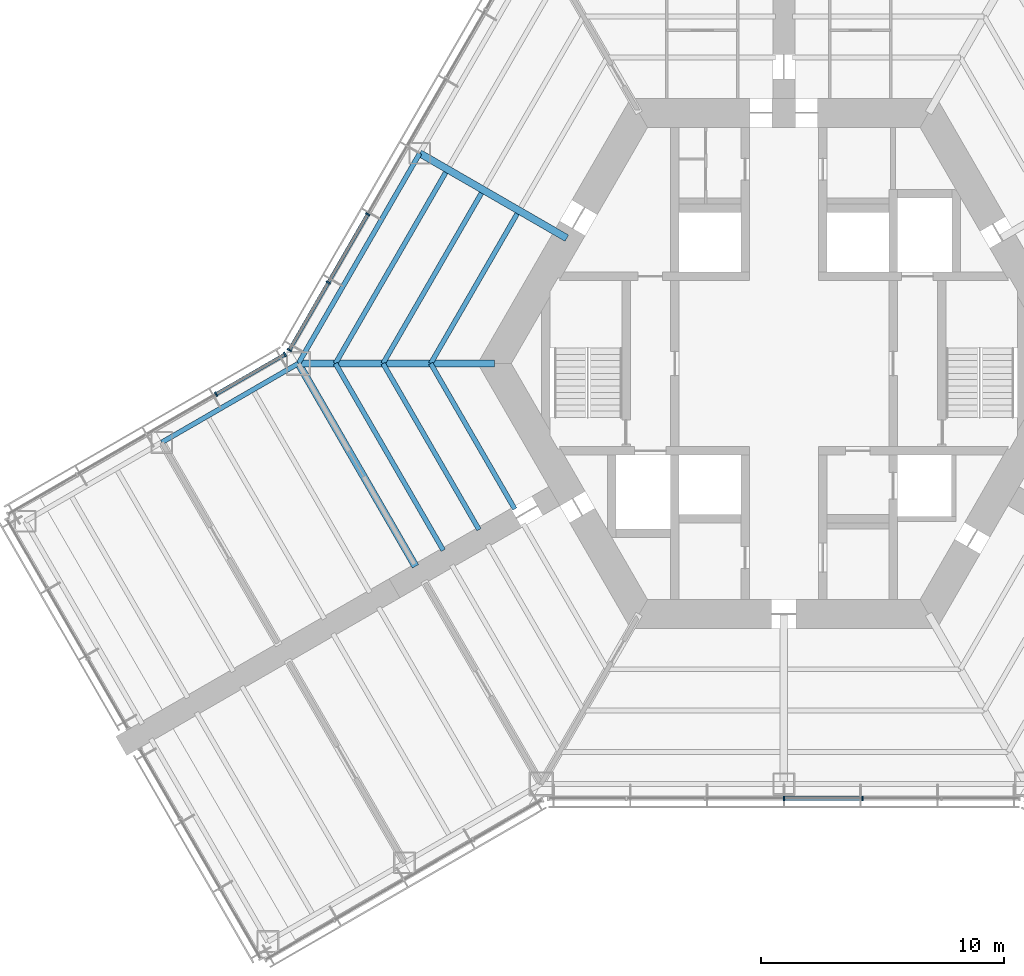
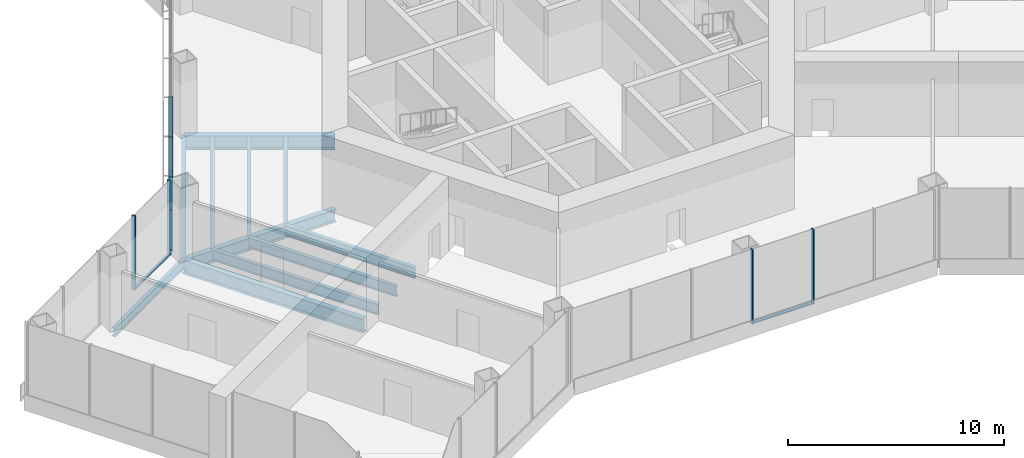
# One storey, part 3 of 15: 11 beams, 11 members, 3 elements without a shape of their own.
"""IFC4 building model written with IfcOpenShell, lengths in metres."""

from ifc_helpers import new_model, si_unit, direction, frame, origin, origin_2d, place, context, subcontext, project, spatial, rectangle, i_section, extrude, material, material_profile, profile_set, type_object, element, aggregate, save


model = new_model("IFC4")

# Units and contexts
model_context = context("Model", 3, precision=1e-05, world=origin(), true_north=direction((0.0, 1.0)))
body_context = subcontext(model_context, "Body", "Model", "MODEL_VIEW")
ifc_project = project(units=[si_unit("LENGTHUNIT", "METRE"), si_unit("AREAUNIT", "SQUARE_METRE"), si_unit("VOLUMEUNIT", "CUBIC_METRE"), si_unit("PLANEANGLEUNIT", "RADIAN"), si_unit("MASSUNIT", "GRAM", prefix="KILO")], contexts=[model_context])

# Site, building, storey
site_placement = place(None, origin())
site = spatial("IfcSite", under=ifc_project, at=site_placement, CompositionType="ELEMENT")
building_placement = place(site_placement, origin())
building = spatial("IfcBuilding", under=site, at=building_placement, Name="Kasaneha Research Tower", CompositionType="ELEMENT")
storey_placement = place(building_placement, frame((0.0, 0.0, 39.39990234375)))
storey = spatial("IfcBuildingStorey", under=building, at=storey_placement, Name="L10", CompositionType="ELEMENT", Elevation=39.39990234375)

# Beams
ifc_material_1 = material(Name="Steel SN490B", Category="steel")
ifc_material_profile_1 = material_profile(ifc_material_1, i_section(OverallWidth=0.199951171875, OverallDepth=0.60009765625, WebThickness=0.010986328125, FlangeThickness=0.01708984375, FilletRadius=0.012939453125, at=origin_2d()), Name="H-600x200x11x17")
ifc_profile_set_1 = profile_set([ifc_material_profile_1], Name="Steel SN490B")
beam_type_1 = type_object("IfcBeamType", Name="B1-2 secondary beam H-600x200x11x17", PredefinedType="JOIST", material=ifc_profile_set_1)
beam_1_placement = place(storey_placement, frame((-14.54931640625, 0.0, -0.469970703125), z_axis=(0.500016104636, 0.866016105569, 0.0), x_axis=(-0.866016105569, 0.500016104636, 0.0)))
element("IfcBeam", 1, at=beam_1_placement, inside=storey, type_object=beam_type_1, Name="Secondary beam RS150R1 L10", PredefinedType="JOIST", context=body_context, shape_type="SweptSolid", body=[
    extrude(i_section(OverallWidth=0.199951171875, OverallDepth=0.60009765625, WebThickness=0.010986328125, FlangeThickness=0.01708984375, FilletRadius=0.012939453125, at=origin_2d()), origin(), (0.0, 0.0, 1.0), 7.124755859375),
])
beam_2_placement = place(storey_placement, frame((-16.51220703125, 0.0, -0.469970703125), z_axis=(0.49999707157, 0.866027094508, 0.0), x_axis=(-0.866027094508, 0.49999707157, 0.0)))
element("IfcBeam", 2, at=beam_2_placement, inside=storey, type_object=beam_type_1, Name="Secondary beam RS150R2 L10", PredefinedType="JOIST", context=body_context, shape_type="SweptSolid", body=[
    extrude(i_section(OverallWidth=0.199951171875, OverallDepth=0.60009765625, WebThickness=0.010986328125, FlangeThickness=0.01708984375, FilletRadius=0.012939453125, at=origin_2d()), origin(), (0.0, 0.0, 1.0), 8.10595703125),
])
beam_3_placement = place(storey_placement, frame((-18.47509765625, 0.0, -0.469970703125), z_axis=(0.499990665392, 0.866030793056, 0.0), x_axis=(-0.866030793056, 0.499990665392, 0.0)))
element("IfcBeam", 3, at=beam_3_placement, inside=storey, type_object=beam_type_1, Name="Secondary beam RS150R3 L10", PredefinedType="JOIST", context=body_context, shape_type="SweptSolid", body=[
    extrude(i_section(OverallWidth=0.199951171875, OverallDepth=0.60009765625, WebThickness=0.010986328125, FlangeThickness=0.01708984375, FilletRadius=0.012939453125, at=origin_2d()), origin(), (0.0, 0.0, 1.0), 9.087646484375),
])
beam_4_placement = place(storey_placement, frame((-14.54931640625, 0.0, -0.469970703125), z_axis=(0.500014420154, -0.866017078145, 0.0), x_axis=(0.866017078145, 0.500014420154, 0.0)))
element("IfcBeam", 4, at=beam_4_placement, inside=storey, type_object=beam_type_1, Name="Secondary beam RS210L1 L10", PredefinedType="JOIST", context=body_context, shape_type="SweptSolid", body=[
    extrude(i_section(OverallWidth=0.199951171875, OverallDepth=0.60009765625, WebThickness=0.010986328125, FlangeThickness=0.01708984375, FilletRadius=0.012939453125, at=origin_2d()), origin(), (0.0, 0.0, 1.0), 6.924560546875),
])
beam_5_placement = place(storey_placement, frame((-16.51220703125, 0.0, -0.469970703125), z_axis=(0.500004902938, -0.866022573054, 0.0), x_axis=(0.866022573054, 0.500004902938, 0.0)))
element("IfcBeam", 5, at=beam_5_placement, inside=storey, type_object=beam_type_1, Name="Secondary beam RS210L2 L10", PredefinedType="JOIST", context=body_context, shape_type="SweptSolid", body=[
    extrude(i_section(OverallWidth=0.199951171875, OverallDepth=0.60009765625, WebThickness=0.010986328125, FlangeThickness=0.01708984375, FilletRadius=0.012939453125, at=origin_2d()), origin(), (0.0, 0.0, 1.0), 7.90625),
])
beam_6_placement = place(storey_placement, frame((-18.47509765625, 0.0, -0.469970703125), z_axis=(0.499988779951, -0.866031881586, 0.0), x_axis=(0.866031881586, 0.499988779951, 0.0)))
element("IfcBeam", 6, at=beam_6_placement, inside=storey, type_object=beam_type_1, Name="Secondary beam RS210L3 L10", PredefinedType="JOIST", context=body_context, shape_type="SweptSolid", body=[
    extrude(i_section(OverallWidth=0.199951171875, OverallDepth=0.60009765625, WebThickness=0.010986328125, FlangeThickness=0.01708984375, FilletRadius=0.012939453125, at=origin_2d()), origin(), (0.0, 0.0, 1.0), 8.887451171875),
])

# Curtain wall, members
ifc_material_2 = material(Name="Glass and aluminium", Category="aluminium")
curtain_wall_type = type_object("IfcCurtainWallType", Name="Dry laboratory curtain wall", PredefinedType="USERDEFINED", material=ifc_material_2)
curtain_wall_1_placement = place(storey_placement, origin())
curtain_wall_1 = element("IfcCurtainWall", 7, at=curtain_wall_1_placement, inside=storey, type_object=curtain_wall_type, Name="CW-L2 L10 run 02a", ObjectType="UNITISED CURTAIN WALL", PredefinedType="USERDEFINED")
ifc_material_3 = material(Name="Aluminium 6063-T6", Category="aluminium")
ifc_material_profile_2 = material_profile(ifc_material_3, rectangle(XDim=0.06494140625, YDim=0.199951171875, at=origin_2d()), Name="CW-L2 mullion 65x200")
ifc_profile_set_2 = profile_set([ifc_material_profile_2], Name="Aluminium 6063-T6")
member_type_1 = type_object("IfcMemberType", Name="CW-L2 mullion", PredefinedType="MULLION", material=ifc_profile_set_2)
member_1_placement = place(storey_placement, frame((0.0, -17.92041015625, 0.0), z_axis=(0.0, 0.0, 1.0), x_axis=(1.0, 0.0, 0.0)))
member_1 = element("IfcMember", 8, at=member_1_placement, type_object=member_type_1, Name="CW-L2 mullion 4", PredefinedType="MULLION", context=body_context, shape_type="SweptSolid", body=[
    extrude(rectangle(XDim=0.06494140625, YDim=0.199951171875, at=origin_2d()), origin(), (0.0, 0.0, 1.0), 4.2001953125),
])
member_2_placement = place(storey_placement, frame((3.246337890625, -17.92041015625, 0.0), z_axis=(0.0, 0.0, 1.0), x_axis=(1.0, 0.0, 0.0)))
member_2 = element("IfcMember", 9, at=member_2_placement, type_object=member_type_1, Name="CW-L2 mullion 5", PredefinedType="MULLION", context=body_context, shape_type="SweptSolid", body=[
    extrude(rectangle(XDim=0.06494140625, YDim=0.199951171875, at=origin_2d()), origin(), (0.0, 0.0, 1.0), 4.2001953125),
])

curtain_wall_2_placement = place(storey_placement, origin())
curtain_wall_2 = element("IfcCurtainWall", 10, at=curtain_wall_2_placement, inside=storey, type_object=curtain_wall_type, Name="CW-L2 L10 run 12a", ObjectType="UNITISED CURTAIN WALL", PredefinedType="USERDEFINED")
member_3_placement = place(storey_placement, frame((-17.142822265625, 6.148681640625, 0.0), z_axis=(0.0, 0.0, 1.0), x_axis=(-0.49999996188, -0.866025425793, 0.0)))
member_3 = element("IfcMember", 11, at=member_3_placement, type_object=member_type_1, Name="CW-L2 mullion 5", PredefinedType="MULLION", context=body_context, shape_type="SweptSolid", body=[
    extrude(rectangle(XDim=0.06494140625, YDim=0.199951171875, at=origin_2d()), origin(), (0.0, 0.0, 1.0), 4.2001953125),
])
member_4_placement = place(storey_placement, frame((-18.76611328125, 3.33740234375, 0.0), z_axis=(0.0, 0.0, 1.0), x_axis=(-0.49999996188, -0.866025425793, 0.0)))
member_4 = element("IfcMember", 12, at=member_4_placement, type_object=member_type_1, Name="CW-L2 mullion 6", PredefinedType="MULLION", context=body_context, shape_type="SweptSolid", body=[
    extrude(rectangle(XDim=0.06494140625, YDim=0.199951171875, at=origin_2d()), origin(), (0.0, 0.0, 1.0), 4.2001953125),
])
member_5_placement = place(storey_placement, frame((-20.373046875, 0.553955078125, 0.0), z_axis=(0.0, 0.0, 1.0), x_axis=(-0.49999996188, -0.866025425793, 0.0)))
member_5 = element("IfcMember", 13, at=member_5_placement, type_object=member_type_1, Name="CW-L2 mullion 7", PredefinedType="MULLION", context=body_context, shape_type="SweptSolid", body=[
    extrude(rectangle(XDim=0.06494140625, YDim=0.199951171875, at=origin_2d()), origin(), (0.0, 0.0, 1.0), 4.2001953125),
])

curtain_wall_3_placement = place(storey_placement, origin())
curtain_wall_3 = element("IfcCurtainWall", 14, at=curtain_wall_3_placement, inside=storey, type_object=curtain_wall_type, Name="CW-L2 L10 run 13a", ObjectType="UNITISED CURTAIN WALL", PredefinedType="USERDEFINED")
member_6_placement = place(storey_placement, frame((-20.553955078125, 0.373046875, 0.0), z_axis=(0.0, 0.0, 1.0), x_axis=(-0.866025411464, -0.499999986699, 0.0)))
member_6 = element("IfcMember", 15, at=member_6_placement, type_object=member_type_1, Name="CW-L2 mullion 1", PredefinedType="MULLION", context=body_context, shape_type="SweptSolid", body=[
    extrude(rectangle(XDim=0.06494140625, YDim=0.199951171875, at=origin_2d()), origin(), (0.0, 0.0, 1.0), 4.2001953125),
])
member_7_placement = place(storey_placement, frame((-23.39208984375, -1.265625, 0.0), z_axis=(0.0, 0.0, 1.0), x_axis=(-0.866025411464, -0.499999986699, 0.0)))
member_7 = element("IfcMember", 16, at=member_7_placement, type_object=member_type_1, Name="CW-L2 mullion 2", PredefinedType="MULLION", context=body_context, shape_type="SweptSolid", body=[
    extrude(rectangle(XDim=0.06494140625, YDim=0.199951171875, at=origin_2d()), origin(), (0.0, 0.0, 1.0), 4.2001953125),
])

# Member
ifc_material_4 = material(Name="Aluminium 6063-T6", Category="aluminium")
ifc_material_profile_3 = material_profile(ifc_material_4, rectangle(XDim=0.14990234375, YDim=0.06494140625, at=origin_2d()), Name="CW-L2 transom 150x65")
ifc_profile_set_3 = profile_set([ifc_material_profile_3], Name="Aluminium 6063-T6")
member_type_2 = type_object("IfcMemberType", Name="CW-L2 transom", PredefinedType="USERDEFINED", material=ifc_profile_set_3)
member_8_placement = place(storey_placement, frame((0.032470703125, -17.92041015625, 0.03271484375), z_axis=(1.0, 0.0, 0.0), x_axis=(0.0, 1.0, 0.0)))
member_8 = element("IfcMember", 17, at=member_8_placement, type_object=member_type_2, Name="CW-L2 transom 4", ObjectType="TRANSOM", PredefinedType="USERDEFINED", context=body_context, shape_type="SweptSolid", body=[
    extrude(rectangle(XDim=0.14990234375, YDim=0.06494140625, at=origin_2d()), origin(), (0.0, 0.0, 1.0), 3.181396484375),
])

aggregate(curtain_wall_1, [member_1, member_2, member_8])

member_9_placement = place(storey_placement, frame((-17.1591796875, 6.12060546875, 0.03271484375), z_axis=(-0.499977104415, -0.866038622153, 0.0), x_axis=(0.866038622153, -0.499977104415, 0.0)))
member_9 = element("IfcMember", 18, at=member_9_placement, type_object=member_type_2, Name="CW-L2 transom 5", ObjectType="TRANSOM", PredefinedType="USERDEFINED", context=body_context, shape_type="SweptSolid", body=[
    extrude(rectangle(XDim=0.14990234375, YDim=0.06494140625, at=origin_2d()), origin(), (0.0, 0.0, 1.0), 3.181396484375),
])

member_10_placement = place(storey_placement, frame((-18.7822265625, 3.30908203125, 0.03271484375), z_axis=(-0.49999985423, -0.866025487945, 0.0), x_axis=(0.866025487945, -0.49999985423, 0.0)))
member_10 = element("IfcMember", 19, at=member_10_placement, type_object=member_type_2, Name="CW-L2 transom 6", ObjectType="TRANSOM", PredefinedType="USERDEFINED", context=body_context, shape_type="SweptSolid", body=[
    extrude(rectangle(XDim=0.14990234375, YDim=0.06494140625, at=origin_2d()), origin(), (0.0, 0.0, 1.0), 3.14892578125),
])

aggregate(curtain_wall_2, [member_3, member_4, member_5, member_9, member_10])

member_11_placement = place(storey_placement, frame((-20.58203125, 0.356689453125, 0.03271484375), z_axis=(-0.866022320763, -0.500005339912, 0.0), x_axis=(0.500005339912, -0.866022320763, 0.0)))
member_11 = element("IfcMember", 20, at=member_11_placement, type_object=member_type_2, Name="CW-L2 transom 1", ObjectType="TRANSOM", PredefinedType="USERDEFINED", context=body_context, shape_type="SweptSolid", body=[
    extrude(rectangle(XDim=0.14990234375, YDim=0.06494140625, at=origin_2d()), origin(), (0.0, 0.0, 1.0), 3.21240234375),
])

aggregate(curtain_wall_3, [member_6, member_7, member_11])

# Beams
ifc_material_5 = material(Name="Steel SN490B", Category="steel")
ifc_material_profile_4 = material_profile(ifc_material_5, i_section(OverallWidth=0.300048828125, OverallDepth=0.699951171875, WebThickness=0.012939453125, FlangeThickness=0.02392578125, FilletRadius=0.01806640625, at=origin_2d()), Name="H-700x300x13x24")
ifc_profile_set_4 = profile_set([ifc_material_profile_4], Name="Steel SN490B")
beam_type_2 = type_object("IfcBeamType", Name="G1-2 radial girder H-700x300x13x24", PredefinedType="BEAM", material=ifc_profile_set_4)
beam_7_placement = place(storey_placement, frame((-11.92236328125, 0.0, -0.52001953125), z_axis=(-1.0, 0.0, 0.0), x_axis=(0.0, -1.0, 0.0)))
element("IfcBeam", 21, at=beam_7_placement, inside=storey, type_object=beam_type_2, Name="Radial girder RV180 L10", PredefinedType="BEAM", context=body_context, shape_type="SweptSolid", body=[
    extrude(i_section(OverallWidth=0.300048828125, OverallDepth=0.699951171875, WebThickness=0.012939453125, FlangeThickness=0.02392578125, FilletRadius=0.01806640625, at=origin_2d()), origin(), (0.0, 0.0, 1.0), 8.07763671875),
])
ifc_material_6 = material(Name="Steel SN490B", Category="steel")
ifc_material_profile_5 = material_profile(ifc_material_6, i_section(OverallWidth=0.300048828125, OverallDepth=0.800048828125, WebThickness=0.013916015625, FlangeThickness=0.02587890625, FilletRadius=0.01806640625, at=origin_2d()), Name="H-800x300x14x26")
ifc_profile_set_5 = profile_set([ifc_material_profile_5], Name="Steel SN490B")
beam_type_3 = type_object("IfcBeamType", Name="G2-2 radial girder H-800x300x14x26", PredefinedType="BEAM", material=ifc_profile_set_5)
beam_8_placement = place(storey_placement, frame((-8.941650390625, 5.16259765625, -0.56982421875), z_axis=(-0.866039713508, 0.499975214012, 0.0), x_axis=(-0.499975214012, -0.866039713508, 0.0)))
element("IfcBeam", 22, at=beam_8_placement, inside=storey, type_object=beam_type_3, Name="Radial girder RM150 L10", PredefinedType="BEAM", context=body_context, shape_type="SweptSolid", body=[
    extrude(i_section(OverallWidth=0.300048828125, OverallDepth=0.800048828125, WebThickness=0.013916015625, FlangeThickness=0.02587890625, FilletRadius=0.01806640625, at=origin_2d()), origin(), (0.0, 0.0, 1.0), 6.995361328125),
])
ifc_material_7 = material(Name="Steel SN490B", Category="steel")
ifc_material_profile_6 = material_profile(ifc_material_7, i_section(OverallWidth=0.300048828125, OverallDepth=0.7919921875, WebThickness=0.013916015625, FlangeThickness=0.02197265625, FilletRadius=0.01806640625, at=origin_2d()), Name="H-792x300x14x22")
ifc_profile_set_6 = profile_set([ifc_material_profile_6], Name="Steel SN490B")
beam_type_4 = type_object("IfcBeamType", Name="G3-2 plate edge girder H-792x300x14x22", PredefinedType="BEAM", material=ifc_profile_set_6)
beam_9_placement = place(storey_placement, frame((-20.0, 0.0, -0.56591796875), z_axis=(0.499994742786, -0.866028439017, 0.0), x_axis=(0.866028439017, 0.499994742786, 0.0)))
element("IfcBeam", 23, at=beam_9_placement, inside=storey, type_object=beam_type_4, Name="Plate edge girder PEBP L10", PredefinedType="BEAM", context=body_context, shape_type="SweptSolid", body=[
    extrude(i_section(OverallWidth=0.300048828125, OverallDepth=0.7919921875, WebThickness=0.013916015625, FlangeThickness=0.02197265625, FilletRadius=0.01806640625, at=origin_2d()), origin(), (0.0, 0.0, 1.0), 9.64990234375),
])
ifc_material_8 = material(Name="Steel SN490B", Category="steel")
ifc_material_profile_7 = material_profile(ifc_material_8, i_section(OverallWidth=0.199951171875, OverallDepth=0.60009765625, WebThickness=0.010986328125, FlangeThickness=0.01708984375, FilletRadius=0.012939453125, at=origin_2d()), Name="H-600x200x11x17")
ifc_profile_set_7 = profile_set([ifc_material_profile_7], Name="Steel SN490B")
beam_type_5 = type_object("IfcBeamType", Name="SB1-2 spandrel beam H-600x200x11x17", PredefinedType="SPANDREL", material=ifc_profile_set_7)
beam_10_placement = place(storey_placement, frame((-20.0, 0.0, -0.469970703125), z_axis=(0.500004234368, 0.866022959057, 0.0), x_axis=(-0.866022959057, 0.500004234368, 0.0)))
element("IfcBeam", 24, at=beam_10_placement, inside=storey, type_object=beam_type_5, Name="Spandrel beam SR150R L10", PredefinedType="SPANDREL", context=body_context, shape_type="SweptSolid", body=[
    extrude(i_section(OverallWidth=0.199951171875, OverallDepth=0.60009765625, WebThickness=0.010986328125, FlangeThickness=0.01708984375, FilletRadius=0.012939453125, at=origin_2d()), origin(), (0.0, 0.0, 1.0), 10.0),
])
ifc_material_9 = material(Name="Steel SN490B", Category="steel")
ifc_material_profile_8 = material_profile(ifc_material_9, i_section(OverallWidth=0.199951171875, OverallDepth=0.5, WebThickness=0.010009765625, FlangeThickness=0.01611328125, FilletRadius=0.012939453125, at=origin_2d()), Name="H-500x200x10x16")
ifc_profile_set_8 = profile_set([ifc_material_profile_8], Name="Steel SN490B")
beam_type_6 = type_object("IfcBeamType", Name="SB2-2 spandrel beam H-500x200x10x16", PredefinedType="SPANDREL", material=ifc_profile_set_8)
beam_11_placement = place(storey_placement, frame((-20.0, 0.0, -0.419921875), z_axis=(-0.866024837091, -0.50000098154, 0.0), x_axis=(0.50000098154, -0.866024837091, 0.0)))
element("IfcBeam", 25, at=beam_11_placement, inside=storey, type_object=beam_type_6, Name="Spandrel beam WSBP1 L10", PredefinedType="SPANDREL", context=body_context, shape_type="SweptSolid", body=[
    extrude(i_section(OverallWidth=0.199951171875, OverallDepth=0.5, WebThickness=0.010009765625, FlangeThickness=0.01611328125, FilletRadius=0.012939453125, at=origin_2d()), origin(), (0.0, 0.0, 1.0), 6.5),
])

save(model, "model.ifc")
